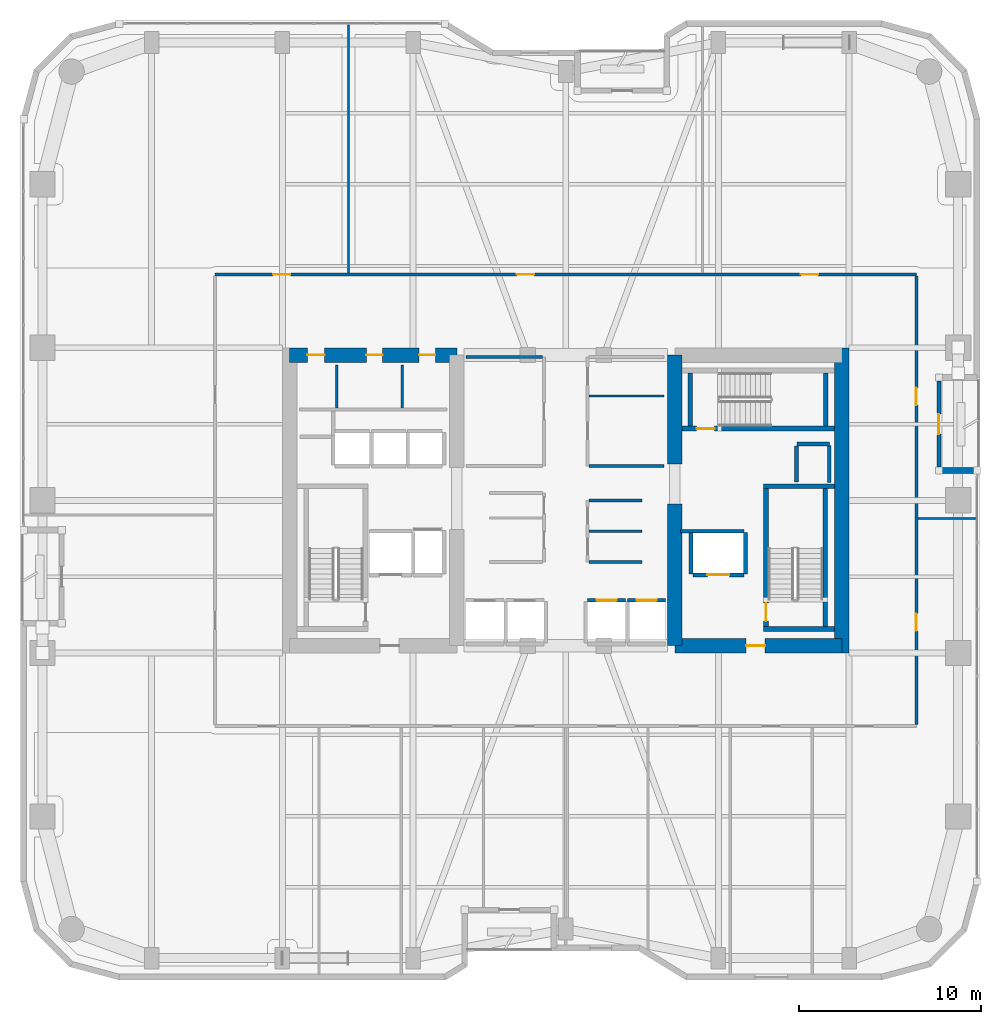
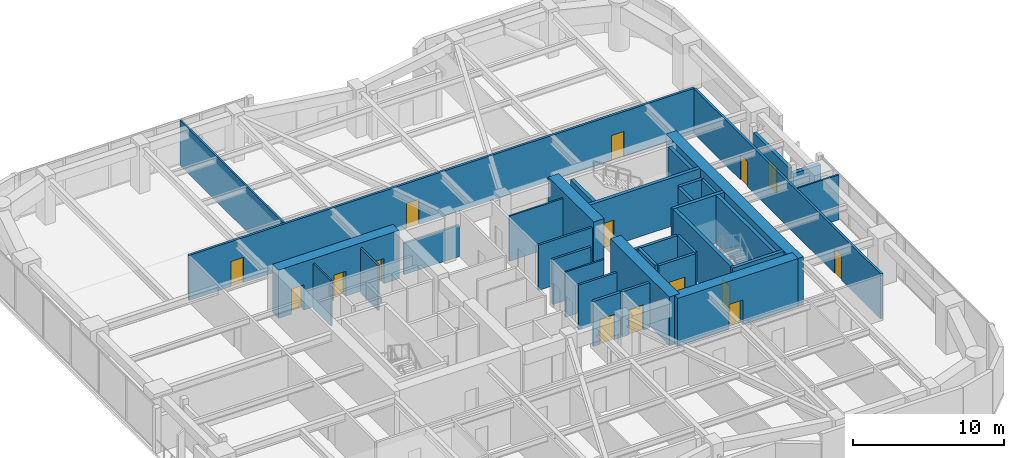
# One storey, part 20 of 24: 35 walls, 15 doors, 15 openings.
"""IFC4 building model written with IfcOpenShell, lengths in metres."""

from ifc_helpers import new_model, si_unit, direction, frame, frame_2d, origin, place, context, subcontext, project, spatial, rectangle, extrude, material, layer, layer_set, type_object, element, fill, save


model = new_model("IFC4")

# Units and contexts
model_context = context("Model", 3, precision=1e-05, world=origin(), true_north=direction((0.0, 1.0)))
body_context = subcontext(model_context, "Body", "Model", "MODEL_VIEW")
ifc_project = project(units=[si_unit("LENGTHUNIT", "METRE"), si_unit("AREAUNIT", "SQUARE_METRE"), si_unit("VOLUMEUNIT", "CUBIC_METRE"), si_unit("PLANEANGLEUNIT", "RADIAN"), si_unit("MASSUNIT", "GRAM", prefix="KILO")], contexts=[model_context])

# Site, building, storey
site_placement = place(None, origin())
site = spatial("IfcSite", under=ifc_project, at=site_placement, CompositionType="ELEMENT")
building_placement = place(site_placement, origin())
building = spatial("IfcBuilding", under=site, at=building_placement, Name="Kiyonajd Concourse Tower", CompositionType="ELEMENT")
storey_placement = place(building_placement, frame((0.0, 0.0, 109.199951171875)))
storey = spatial("IfcBuildingStorey", under=building, at=storey_placement, Name="L28", CompositionType="ELEMENT", Elevation=109.199951171875)

# Wall, openings, doors
ifc_material_1 = material(Name="Concrete C70/85", Category="concrete")
ifc_layer_1 = layer(ifc_material_1, 0.800048828125)
ifc_layer_set_1 = layer_set([ifc_layer_1], Name="Concrete C70/85")
wall_type_1 = type_object("IfcWallType", Name="WL-CORE-800", PredefinedType="SHEAR", material=ifc_layer_set_1)
wall_1_placement = place(storey_placement, frame((32.800048828125, 44.0, 0.0), z_axis=(0.0, 0.0, 1.0), x_axis=(1.0, 0.0, 0.0)))
wall_1 = element("IfcWall", 1, at=wall_1_placement, inside=storey, type_object=wall_type_1, Name="L28 West Core North Shear Wall", PredefinedType="SHEAR", context=body_context, shape_type="SweptSolid", body=[
    extrude(rectangle(XDim=9.199951171875, YDim=0.800048828125, at=frame_2d((4.60009765625, 0.0))), origin(), (0.0, 0.0, 1.0), 3.900146484375),
])
opening_1_placement = place(wall_1_placement, frame((0.97509765625, 0.0, 0.0)))
opening_1 = element("IfcOpeningElement", 2, at=opening_1_placement, cuts=wall_1, Name="Opening DI1", PredefinedType="OPENING", context=body_context, shape_type="SweptSolid", body=[
    extrude(rectangle(XDim=0.949951171875, YDim=2.0400390625, at=frame_2d((0.47509765625, 1.02001953125))), frame((0.0, 0.409912109375, 0.0), z_axis=(0.0, -1.0, 0.0), x_axis=(1.0, 0.0, 0.0)), (0.0, 0.0, 1.0), 0.820068359375),
])
opening_2_placement = place(wall_1_placement, frame((4.22509765625, 0.0, 0.0)))
opening_2 = element("IfcOpeningElement", 3, at=opening_2_placement, cuts=wall_1, Name="Opening DI2", PredefinedType="OPENING", context=body_context, shape_type="SweptSolid", body=[
    extrude(rectangle(XDim=0.89990234375, YDim=2.02001953125, at=frame_2d((0.449951171875, 1.010009765625))), frame((0.0, 0.409912109375, 0.0), z_axis=(0.0, -1.0, 0.0), x_axis=(1.0, 0.0, 0.0)), (0.0, 0.0, 1.0), 0.820068359375),
])
opening_3_placement = place(wall_1_placement, frame((7.125, 0.0, 0.0)))
opening_3 = element("IfcOpeningElement", 4, at=opening_3_placement, cuts=wall_1, Name="Opening DI2", PredefinedType="OPENING", context=body_context, shape_type="SweptSolid", body=[
    extrude(rectangle(XDim=0.89990234375, YDim=2.02001953125, at=frame_2d((0.449951171875, 1.010009765625))), frame((0.0, 0.409912109375, 0.0), z_axis=(0.0, -1.0, 0.0), x_axis=(1.0, 0.0, 0.0)), (0.0, 0.0, 1.0), 0.820068359375),
])
ifc_material_2 = material(Name="Natural Oak Acoustic Timber Veneer", Category="wood")
door_type_1 = type_object("IfcDoorType", Name="DR-INT-900", OperationType="NOTDEFINED", PredefinedType="DOOR", material=ifc_material_2)
door_1_placement = place(opening_2_placement, origin())
door_1 = element("IfcDoor", 5, at=door_1_placement, inside=storey, type_object=door_type_1, Name="L28 Male Restroom Door", OperationType="SINGLE_SWING_RIGHT", OverallHeight=2.02001953125, OverallWidth=0.89990234375, PredefinedType="DOOR", context=body_context, shape_type="SweptSolid", body=[
    extrude(rectangle(XDim=0.89990234375, YDim=2.02001953125, at=frame_2d((0.449951171875, 1.010009765625))), frame((0.0, 0.02490234375, 0.0), z_axis=(0.0, -1.0, 0.0), x_axis=(1.0, 0.0, 0.0)), (0.0, 0.0, 1.0), 0.050048828125),
])
fill(opening_2, door_1)
door_2_placement = place(opening_3_placement, origin())
door_2 = element("IfcDoor", 6, at=door_2_placement, inside=storey, type_object=door_type_1, Name="L28 Female Restroom Door", OperationType="SINGLE_SWING_LEFT", OverallHeight=2.02001953125, OverallWidth=0.89990234375, PredefinedType="DOOR", context=body_context, shape_type="SweptSolid", body=[
    extrude(rectangle(XDim=0.89990234375, YDim=2.02001953125, at=frame_2d((0.449951171875, 1.010009765625))), frame((0.0, 0.02490234375, 0.0), z_axis=(0.0, -1.0, 0.0), x_axis=(1.0, 0.0, 0.0)), (0.0, 0.0, 1.0), 0.050048828125),
])
fill(opening_3, door_2)
door_type_2 = type_object("IfcDoorType", Name="DR-INT-950", OperationType="NOTDEFINED", PredefinedType="DOOR", material=ifc_material_2)
door_3_placement = place(opening_1_placement, origin())
door_3 = element("IfcDoor", 7, at=door_3_placement, inside=storey, type_object=door_type_2, Name="L28 Single User Accessible WC Door", OperationType="SINGLE_SWING_LEFT", OverallHeight=2.0400390625, OverallWidth=0.949951171875, PredefinedType="DOOR", context=body_context, shape_type="SweptSolid", body=[
    extrude(rectangle(XDim=0.949951171875, YDim=2.0400390625, at=frame_2d((0.47509765625, 1.02001953125))), frame((0.0, 0.02490234375, 0.0), z_axis=(0.0, -1.0, 0.0), x_axis=(1.0, 0.0, 0.0)), (0.0, 0.0, 1.0), 0.050048828125),
])
fill(opening_1, door_3)

# Walls
wall_2_placement = place(storey_placement, frame((54.0, 28.0, 0.0), z_axis=(0.0, 0.0, 1.0), x_axis=(0.0, 1.0, 0.0)))
element("IfcWall", 8, at=wall_2_placement, inside=storey, type_object=wall_type_1, Name="L28 East Core Inner South Shear Wall", PredefinedType="SHEAR", context=body_context, shape_type="SweptSolid", body=[
    extrude(rectangle(XDim=7.800048828125, YDim=0.800048828125, at=frame_2d((3.89990234375, 0.0))), origin(), (0.0, 0.0, 1.0), 3.900146484375),
])
wall_3_placement = place(storey_placement, frame((54.0, 38.0, 0.0), z_axis=(0.0, 0.0, 1.0), x_axis=(0.0, 1.0, 0.0)))
element("IfcWall", 9, at=wall_3_placement, inside=storey, type_object=wall_type_1, Name="L28 East Core Inner North Shear Wall", PredefinedType="SHEAR", context=body_context, shape_type="SweptSolid", body=[
    extrude(rectangle(XDim=6.0, YDim=0.800048828125, at=frame_2d((3.0, 0.0))), origin(), (0.0, 0.0, 1.0), 3.900146484375),
])
wall_4_placement = place(storey_placement, frame((63.199951171875, 27.60009765625, 0.0), z_axis=(0.0, 0.0, 1.0), x_axis=(0.0, 1.0, 0.0)))
element("IfcWall", 10, at=wall_4_placement, inside=storey, type_object=wall_type_1, Name="L28 East Core Outer Shear Wall", PredefinedType="SHEAR", context=body_context, shape_type="SweptSolid", body=[
    extrude(rectangle(XDim=16.7998046875, YDim=0.800048828125, at=frame_2d((8.39990234375, 0.0))), origin(), (0.0, 0.0, 1.0), 3.900146484375),
])

# Wall, opening, door
wall_5_placement = place(storey_placement, frame((54.0, 28.0, 0.0), z_axis=(0.0, 0.0, 1.0), x_axis=(1.0, 0.0, 0.0)))
wall_5 = element("IfcWall", 11, at=wall_5_placement, inside=storey, type_object=wall_type_1, Name="L28 East Core South Shear Wall", PredefinedType="SHEAR", context=body_context, shape_type="SweptSolid", body=[
    extrude(rectangle(XDim=9.199951171875, YDim=0.800048828125, at=frame_2d((4.60009765625, 0.0))), origin(), (0.0, 0.0, 1.0), 3.900146484375),
])
opening_4_placement = place(wall_5_placement, frame((3.925048828125, 0.0, 0.0)))
opening_4 = element("IfcOpeningElement", 12, at=opening_4_placement, cuts=wall_5, Name="Opening DF5", PredefinedType="OPENING", context=body_context, shape_type="SweptSolid", body=[
    extrude(rectangle(XDim=1.050048828125, YDim=2.0400390625, at=frame_2d((0.52490234375, 1.02001953125))), frame((0.0, 0.409912109375, 0.0), z_axis=(0.0, -1.0, 0.0), x_axis=(1.0, 0.0, 0.0)), (0.0, 0.0, 1.0), 0.820068359375),
])
ifc_material_3 = material(Name="Brushed Stainless Steel Cab Assembly", Category="steel")
door_type_3 = type_object("IfcDoorType", Name="DR-FD45-1050", OperationType="NOTDEFINED", PredefinedType="DOOR", material=ifc_material_3)
door_4_placement = place(opening_4_placement, origin())
door_4 = element("IfcDoor", 13, at=door_4_placement, inside=storey, type_object=door_type_3, Name="L28 Firefighting Lift Lobby E Smoke Door", OperationType="SINGLE_SWING_RIGHT", OverallHeight=2.0400390625, OverallWidth=1.050048828125, PredefinedType="DOOR", context=body_context, shape_type="SweptSolid", body=[
    extrude(rectangle(XDim=1.050048828125, YDim=2.0400390625, at=frame_2d((0.52490234375, 1.02001953125))), frame((0.0, 0.02490234375, 0.0), z_axis=(0.0, -1.0, 0.0), x_axis=(1.0, 0.0, 0.0)), (0.0, 0.0, 1.0), 0.050048828125),
])
fill(opening_4, door_4)

# Wall
ifc_material_4 = material(Name="Precast concrete C50/60", Category="concrete")
ifc_layer_2 = layer(ifc_material_4, 0.320068359375)
ifc_layer_set_2 = layer_set([ifc_layer_2], Name="Precast concrete C50/60")
wall_type_2 = type_object("IfcWallType", Name="WL-EXT-320", PredefinedType="SOLIDWALL", material=ifc_layer_set_2)
wall_6_placement = place(storey_placement, frame((68.5400390625, 37.639892578125, 0.0), z_axis=(0.0, 0.0, 1.0), x_axis=(1.0, 0.0, 0.0)))
element("IfcWall", 14, at=wall_6_placement, inside=storey, type_object=wall_type_2, Name="L28 Exterior Concrete Frame Wall 23", PredefinedType="SOLIDWALL", context=body_context, shape_type="SweptSolid", body=[
    extrude(rectangle(XDim=2.099853515625, YDim=0.320068359375, at=frame_2d((1.0498046875, 0.0))), origin(), (0.0, 0.0, 1.0), 2.875),
])

# Wall, opening, door
ifc_layer_3 = layer(ifc_material_4, 0.239990234375)
ifc_layer_set_3 = layer_set([ifc_layer_3], Name="Precast concrete C50/60")
wall_type_3 = type_object("IfcWallType", Name="WL-LOG-240", PredefinedType="SOLIDWALL", material=ifc_layer_set_3)
wall_7_placement = place(storey_placement, frame((68.5400390625, 42.56494140625, 0.0), z_axis=(0.0, 0.0, 1.0), x_axis=(0.0, -1.0, 0.0)))
wall_7 = element("IfcWall", 15, at=wall_7_placement, inside=storey, type_object=wall_type_3, Name="L28 Recessed Loggia Thermal Wall LOG-E", PredefinedType="SOLIDWALL", context=body_context, shape_type="SweptSolid", body=[
    extrude(rectangle(XDim=4.72998046875, YDim=0.239990234375, at=frame_2d((2.364990234375, 0.0))), origin(), (0.0, 0.0, 1.0), 3.162109375),
])
opening_5_placement = place(wall_7_placement, frame((1.81494140625, 0.0, 0.0)))
opening_5 = element("IfcOpeningElement", 16, at=opening_5_placement, cuts=wall_7, Name="Opening DL2", PredefinedType="OPENING", context=body_context, shape_type="SweptSolid", body=[
    extrude(rectangle(XDim=1.10009765625, YDim=2.0400390625, at=frame_2d((0.550048828125, 1.02001953125))), frame((0.0, 0.1298828125, 0.0), z_axis=(0.0, -1.0, 0.0), x_axis=(1.0, 0.0, 0.0)), (0.0, 0.0, 1.0), 0.260009765625),
])
ifc_material_5 = material(Name="Thermally Broken Anodised Aluminium", Category="aluminium")
door_type_4 = type_object("IfcDoorType", Name="DR-LOG-1100", OperationType="NOTDEFINED", PredefinedType="DOOR", material=ifc_material_5)
door_5_placement = place(opening_5_placement, origin())
door_5 = element("IfcDoor", 17, at=door_5_placement, inside=storey, type_object=door_type_4, Name="L28 Engawa Loggia Access Door LOG-E", OperationType="SINGLE_SWING_LEFT", OverallHeight=2.0400390625, OverallWidth=1.10009765625, PredefinedType="DOOR", context=body_context, shape_type="SweptSolid", body=[
    extrude(rectangle(XDim=1.10009765625, YDim=2.0400390625, at=frame_2d((0.550048828125, 1.02001953125))), frame((0.0, 0.02490234375, 0.0), z_axis=(0.0, -1.0, 0.0), x_axis=(1.0, 0.0, 0.0)), (0.0, 0.0, 1.0), 0.050048828125),
])
fill(opening_5, door_5)

# Walls
ifc_material_6 = material(Name="Gypsum Board on Cold-Formed Steel Stud", Category="steel")
ifc_layer_4 = layer(ifc_material_6, 0.125)
ifc_layer_set_4 = layer_set([ifc_layer_4], Name="Gypsum Board on Cold-Formed Steel Stud")
wall_type_4 = type_object("IfcWallType", Name="WL-PART-125", PredefinedType="PARTITIONING", material=ifc_layer_set_4)
for number, where, z_axis, x_axis, name in (
    (18, (35.39990234375, 41.094970703125, 0.0), (0.0, 0.0, 1.0), (0.0, 1.0, 0.0), "L28 Interior Partition Wall"),
    (19, (39.0, 41.094970703125, 0.0), (0.0, 0.0, 1.0), (0.0, 1.0, 0.0), "L28 Interior Partition Wall"),
):
    element("IfcWall", number, at=place(storey_placement, frame(where, z_axis=z_axis, x_axis=x_axis)), inside=storey, type_object=wall_type_4, Name=name, PredefinedType="PARTITIONING", context=body_context, shape_type="SweptSolid", body=[
        extrude(rectangle(XDim=2.35498046875, YDim=0.125, at=frame_2d((1.177490234375, 0.0))), origin(), (0.0, 0.0, 1.0), 3.64013671875),
    ])
wall_8_placement = place(storey_placement, frame((49.287109375, 34.300048828125, 0.0), z_axis=(0.0, 0.0, 1.0), x_axis=(1.0, 0.0, 0.0)))
element("IfcWall", 20, at=wall_8_placement, inside=storey, type_object=wall_type_4, Name="L28 Interior Partition Wall", PredefinedType="PARTITIONING", context=body_context, shape_type="SweptSolid", body=[
    extrude(rectangle(XDim=2.912841796875, YDim=0.125, at=frame_2d((1.45654296875, 0.0))), origin(), (0.0, 0.0, 1.0), 3.64013671875),
])
wall_9_placement = place(storey_placement, frame((49.287109375, 41.739990234375, 0.0), z_axis=(0.0, 0.0, 1.0), x_axis=(1.0, 0.0, 0.0)))
element("IfcWall", 21, at=wall_9_placement, inside=storey, type_object=wall_type_4, Name="L28 Interior Partition Wall", PredefinedType="PARTITIONING", context=body_context, shape_type="SweptSolid", body=[
    extrude(rectangle(XDim=4.11279296875, YDim=0.125, at=frame_2d((2.056396484375, 0.0))), origin(), (0.0, 0.0, 1.0), 3.64013671875),
])
wall_10_placement = place(storey_placement, frame((36.0400390625, 48.51708984375, 0.0), z_axis=(0.0, 0.0, 1.0), x_axis=(0.0, 1.0, 0.0)))
element("IfcWall", 22, at=wall_10_placement, inside=storey, type_object=wall_type_4, Name="L28 Interior Partition Wall", PredefinedType="PARTITIONING", context=body_context, shape_type="SweptSolid", body=[
    extrude(rectangle(XDim=13.637939453125, YDim=0.125, at=frame_2d((6.81884765625, 0.0))), origin(), (0.0, 0.0, 1.0), 3.64013671875),
])
wall_11_placement = place(storey_placement, frame((67.386962890625, 35.0, 0.0), z_axis=(0.0, 0.0, 1.0), x_axis=(1.0, 0.0, 0.0)))
element("IfcWall", 23, at=wall_11_placement, inside=storey, type_object=wall_type_4, Name="L28 Interior Partition Wall", PredefinedType="PARTITIONING", context=body_context, shape_type="SweptSolid", body=[
    extrude(rectangle(XDim=3.16796875, YDim=0.125, at=frame_2d((1.583984375, 0.0))), origin(), (0.0, 0.0, 1.0), 3.64013671875),
])
ifc_layer_5 = layer(ifc_material_6, 0.2099609375)
ifc_layer_set_5 = layer_set([ifc_layer_5], Name="Gypsum Board on Cold-Formed Steel Stud")
wall_type_5 = type_object("IfcWallType", Name="WL-SHAFT-210", PredefinedType="PARTITIONING", material=ifc_layer_set_5)
wall_12_placement = place(storey_placement, frame((60.719970703125, 39.10009765625, 0.0), z_axis=(0.0, 0.0, 1.0), x_axis=(1.0, 0.0, 0.0)))
element("IfcWall", 24, at=wall_12_placement, inside=storey, type_object=wall_type_5, Name="L28 Shaft Enclosure Wall", PredefinedType="PARTITIONING", context=body_context, shape_type="SweptSolid", body=[
    extrude(rectangle(XDim=1.800048828125, YDim=0.2099609375, at=frame_2d((0.89990234375, 0.0))), origin(), (0.0, 0.0, 1.0), 3.64013671875),
])
wall_13_placement = place(storey_placement, frame((60.699951171875, 37.02001953125, 0.0), z_axis=(0.0, 0.0, 1.0), x_axis=(0.0, 1.0, 0.0)))
element("IfcWall", 25, at=wall_13_placement, inside=storey, type_object=wall_type_5, Name="L28 Shaft Enclosure Wall", PredefinedType="PARTITIONING", context=body_context, shape_type="SweptSolid", body=[
    extrude(rectangle(XDim=1.9599609375, YDim=0.2099609375, at=frame_2d((0.97998046875, 0.0))), origin(), (0.0, 0.0, 1.0), 3.64013671875),
])
wall_14_placement = place(storey_placement, frame((62.5, 36.97998046875, 0.0), z_axis=(0.0, 0.0, 1.0), x_axis=(0.0, 1.0, 0.0)))
element("IfcWall", 26, at=wall_14_placement, inside=storey, type_object=wall_type_5, Name="L28 Shaft Enclosure Wall", PredefinedType="PARTITIONING", context=body_context, shape_type="SweptSolid", body=[
    extrude(rectangle(XDim=2.0400390625, YDim=0.2099609375, at=frame_2d((1.02001953125, 0.0))), origin(), (0.0, 0.0, 1.0), 3.64013671875),
])

# Wall, opening, door
wall_15_placement = place(storey_placement, frame((55.0, 31.89990234375, 0.0), z_axis=(0.0, 0.0, 1.0), x_axis=(1.0, 0.0, 0.0)))
wall_15 = element("IfcWall", 27, at=wall_15_placement, inside=storey, type_object=wall_type_5, Name="L28 Shaft Enclosure Wall", PredefinedType="PARTITIONING", context=body_context, shape_type="SweptSolid", body=[
    extrude(rectangle(XDim=2.800048828125, YDim=0.2099609375, at=frame_2d((1.39990234375, 0.0))), origin(), (0.0, 0.0, 1.0), 3.64013671875),
])
opening_6_placement = place(wall_15_placement, frame((0.800048828125, 0.0, 0.0)))
opening_6 = element("IfcOpeningElement", 28, at=opening_6_placement, cuts=wall_15, Name="Opening LD2", PredefinedType="OPENING", context=body_context, shape_type="SweptSolid", body=[
    extrude(rectangle(XDim=1.199951171875, YDim=2.0400390625, at=frame_2d((0.60009765625, 1.02001953125))), frame((0.0, 0.114990234375, 0.0), z_axis=(0.0, -1.0, 0.0), x_axis=(1.0, 0.0, 0.0)), (0.0, 0.0, 1.0), 0.22998046875),
])
door_type_5 = type_object("IfcDoorType", Name="DR-LD-1200", OperationType="DOUBLE_DOOR_SLIDING", PredefinedType="DOOR", material=ifc_material_3)
door_6_placement = place(opening_6_placement, origin())
door_6 = element("IfcDoor", 29, at=door_6_placement, inside=storey, type_object=door_type_5, Name="L28 Lift FFL2 Sliding Landing Door", OperationType="DOUBLE_DOOR_SLIDING", OverallHeight=2.0400390625, OverallWidth=1.199951171875, PredefinedType="DOOR", context=body_context, shape_type="SweptSolid", body=[
    extrude(rectangle(XDim=1.199951171875, YDim=2.0400390625, at=frame_2d((0.60009765625, 1.02001953125))), frame((0.0, 0.02490234375, 0.0), z_axis=(0.0, -1.0, 0.0), x_axis=(1.0, 0.0, 0.0)), (0.0, 0.0, 1.0), 0.050048828125),
])
fill(opening_6, door_6)

# Walls
wall_16_placement = place(storey_placement, frame((54.320068359375, 34.300048828125, 0.0), z_axis=(0.0, 0.0, 1.0), x_axis=(1.0, 0.0, 0.0)))
element("IfcWall", 30, at=wall_16_placement, inside=storey, type_object=wall_type_5, Name="L28 Shaft Enclosure Wall", PredefinedType="PARTITIONING", context=body_context, shape_type="SweptSolid", body=[
    extrude(rectangle(XDim=3.47998046875, YDim=0.2099609375, at=frame_2d((1.739990234375, 0.0))), origin(), (0.0, 0.0, 1.0), 3.64013671875),
])
for number, where, z_axis, x_axis, name in (
    (31, (54.89990234375, 31.9599609375, 0.0), (0.0, 0.0, 1.0), (0.0, 1.0, 0.0), "L28 Shaft Enclosure Wall"),
    (32, (57.89990234375, 31.9599609375, 0.0), (0.0, 0.0, 1.0), (0.0, 1.0, 0.0), "L28 Shaft Enclosure Wall"),
):
    element("IfcWall", number, at=place(storey_placement, frame(where, z_axis=z_axis, x_axis=x_axis)), inside=storey, type_object=wall_type_5, Name=name, PredefinedType="PARTITIONING", context=body_context, shape_type="SweptSolid", body=[
        extrude(rectangle(XDim=2.280029296875, YDim=0.2099609375, at=frame_2d((1.14013671875, 0.0))), origin(), (0.0, 0.0, 1.0), 3.64013671875),
    ])

# Wall, opening, door
wall_17_placement = place(storey_placement, frame((49.199951171875, 30.5, 0.0), z_axis=(0.0, 0.0, 1.0), x_axis=(1.0, 0.0, 0.0)))
wall_17 = element("IfcWall", 33, at=wall_17_placement, inside=storey, type_object=wall_type_5, Name="L28 Shaft Enclosure Wall", PredefinedType="PARTITIONING", context=body_context, shape_type="SweptSolid", body=[
    extrude(rectangle(XDim=2.10009765625, YDim=0.2099609375, at=frame_2d((1.050048828125, 0.0))), origin(), (0.0, 0.0, 1.0), 3.64013671875),
])
opening_7_placement = place(wall_17_placement, frame((0.5, 0.0, 0.0)))
opening_7 = element("IfcOpeningElement", 34, at=opening_7_placement, cuts=wall_17, Name="Opening LD1", PredefinedType="OPENING", context=body_context, shape_type="SweptSolid", body=[
    extrude(rectangle(XDim=1.10009765625, YDim=2.0400390625, at=frame_2d((0.550048828125, 1.02001953125))), frame((0.0, 0.114990234375, 0.0), z_axis=(0.0, -1.0, 0.0), x_axis=(1.0, 0.0, 0.0)), (0.0, 0.0, 1.0), 0.22998046875),
])
door_type_6 = type_object("IfcDoorType", Name="DR-LD-1100", OperationType="DOUBLE_DOOR_SLIDING", PredefinedType="DOOR", material=ifc_material_3)
door_7_placement = place(opening_7_placement, origin())
door_7 = element("IfcDoor", 35, at=door_7_placement, inside=storey, type_object=door_type_6, Name="L28 Lift PL-L3 Sliding Landing Door", OperationType="DOUBLE_DOOR_SLIDING", OverallHeight=2.0400390625, OverallWidth=1.10009765625, PredefinedType="DOOR", context=body_context, shape_type="SweptSolid", body=[
    extrude(rectangle(XDim=1.10009765625, YDim=2.0400390625, at=frame_2d((0.550048828125, 1.02001953125))), frame((0.0, 0.02490234375, 0.0), z_axis=(0.0, -1.0, 0.0), x_axis=(1.0, 0.0, 0.0)), (0.0, 0.0, 1.0), 0.050048828125),
])
fill(opening_7, door_7)

wall_18_placement = place(storey_placement, frame((51.39990234375, 30.5, 0.0), z_axis=(0.0, 0.0, 1.0), x_axis=(1.0, 0.0, 0.0)))
wall_18 = element("IfcWall", 36, at=wall_18_placement, inside=storey, type_object=wall_type_5, Name="L28 Shaft Enclosure Wall", PredefinedType="PARTITIONING", context=body_context, shape_type="SweptSolid", body=[
    extrude(rectangle(XDim=2.10009765625, YDim=0.2099609375, at=frame_2d((1.050048828125, 0.0))), origin(), (0.0, 0.0, 1.0), 3.64013671875),
])
opening_8_placement = place(wall_18_placement, frame((0.5, 0.0, 0.0)))
opening_8 = element("IfcOpeningElement", 37, at=opening_8_placement, cuts=wall_18, Name="Opening LD1", PredefinedType="OPENING", context=body_context, shape_type="SweptSolid", body=[
    extrude(rectangle(XDim=1.10009765625, YDim=2.0400390625, at=frame_2d((0.550048828125, 1.02001953125))), frame((0.0, 0.114990234375, 0.0), z_axis=(0.0, -1.0, 0.0), x_axis=(1.0, 0.0, 0.0)), (0.0, 0.0, 1.0), 0.22998046875),
])
door_8_placement = place(opening_8_placement, origin())
door_8 = element("IfcDoor", 38, at=door_8_placement, inside=storey, type_object=door_type_6, Name="L28 Lift PL-L4 Sliding Landing Door", OperationType="DOUBLE_DOOR_SLIDING", OverallHeight=2.0400390625, OverallWidth=1.10009765625, PredefinedType="DOOR", context=body_context, shape_type="SweptSolid", body=[
    extrude(rectangle(XDim=1.10009765625, YDim=2.0400390625, at=frame_2d((0.550048828125, 1.02001953125))), frame((0.0, 0.02490234375, 0.0), z_axis=(0.0, -1.0, 0.0), x_axis=(1.0, 0.0, 0.0)), (0.0, 0.0, 1.0), 0.050048828125),
])
fill(opening_8, door_8)

# Walls
ifc_layer_6 = layer(ifc_material_6, 0.169921875)
ifc_layer_set_6 = layer_set([ifc_layer_6], Name="Gypsum Board on Cold-Formed Steel Stud")
wall_type_6 = type_object("IfcWallType", Name="WL-SMK-170", PredefinedType="PARTITIONING", material=ifc_layer_set_6)
for number, where, z_axis, x_axis, name in (
    (39, (49.287109375, 32.60009765625, 0.0), (0.0, 0.0, 1.0), (1.0, 0.0, 0.0), "L28 Interior Partition Wall"),
    (40, (49.287109375, 36.0, 0.0), (0.0, 0.0, 1.0), (1.0, 0.0, 0.0), "L28 Interior Partition Wall"),
):
    element("IfcWall", number, at=place(storey_placement, frame(where, z_axis=z_axis, x_axis=x_axis)), inside=storey, type_object=wall_type_6, Name=name, PredefinedType="PARTITIONING", context=body_context, shape_type="SweptSolid", body=[
        extrude(rectangle(XDim=2.912841796875, YDim=0.169921875, at=frame_2d((1.45654296875, 0.0))), origin(), (0.0, 0.0, 1.0), 3.64013671875),
    ])
wall_19_placement = place(storey_placement, frame((42.5, 43.89990234375, 0.0), z_axis=(0.0, 0.0, 1.0), x_axis=(1.0, 0.0, 0.0)))
element("IfcWall", 41, at=wall_19_placement, inside=storey, type_object=wall_type_6, Name="L28 Interior Partition Wall", PredefinedType="PARTITIONING", context=body_context, shape_type="SweptSolid", body=[
    extrude(rectangle(XDim=4.212890625, YDim=0.169921875, at=frame_2d((2.1064453125, 0.0))), origin(), (0.0, 0.0, 1.0), 2.525146484375),
])
wall_20_placement = place(storey_placement, frame((49.287109375, 37.89990234375, 0.0), z_axis=(0.0, 0.0, 1.0), x_axis=(1.0, 0.0, 0.0)))
element("IfcWall", 42, at=wall_20_placement, inside=storey, type_object=wall_type_6, Name="L28 Interior Partition Wall", PredefinedType="PARTITIONING", context=body_context, shape_type="SweptSolid", body=[
    extrude(rectangle(XDim=4.11279296875, YDim=0.169921875, at=frame_2d((2.056396484375, 0.0))), origin(), (0.0, 0.0, 1.0), 3.64013671875),
])

# Wall, openings, doors
wall_21_placement = place(storey_placement, frame((28.699951171875, 48.429931640625, 0.0), z_axis=(0.0, 0.0, 1.0), x_axis=(1.0, 0.0, 0.0)))
wall_21 = element("IfcWall", 43, at=wall_21_placement, inside=storey, type_object=wall_type_6, Name="L28 Interior Partition Wall", PredefinedType="PARTITIONING", context=body_context, shape_type="SweptSolid", body=[
    extrude(rectangle(XDim=38.60009765625, YDim=0.169921875, at=frame_2d((19.300048828125, 0.0))), origin(), (0.0, 0.0, 1.0), 3.64013671875),
])
opening_9_placement = place(wall_21_placement, frame((3.195068359375, 0.0, 0.0)))
opening_9 = element("IfcOpeningElement", 44, at=opening_9_placement, cuts=wall_21, Name="Opening DI1", PredefinedType="OPENING", context=body_context, shape_type="SweptSolid", body=[
    extrude(rectangle(XDim=0.949951171875, YDim=2.0400390625, at=frame_2d((0.47509765625, 1.02001953125))), frame((0.0, 0.094970703125, 0.0), z_axis=(0.0, -1.0, 0.0), x_axis=(1.0, 0.0, 0.0)), (0.0, 0.0, 1.0), 0.18994140625),
])
opening_10_placement = place(wall_21_placement, frame((16.60498046875, 0.0, 0.0)))
opening_10 = element("IfcOpeningElement", 45, at=opening_10_placement, cuts=wall_21, Name="Opening DI1", PredefinedType="OPENING", context=body_context, shape_type="SweptSolid", body=[
    extrude(rectangle(XDim=0.949951171875, YDim=2.0400390625, at=frame_2d((0.47509765625, 1.02001953125))), frame((0.0, 0.094970703125, 0.0), z_axis=(0.0, -1.0, 0.0), x_axis=(1.0, 0.0, 0.0)), (0.0, 0.0, 1.0), 0.18994140625),
])
opening_11_placement = place(wall_21_placement, frame((32.235107421875, 0.0, 0.0)))
opening_11 = element("IfcOpeningElement", 46, at=opening_11_placement, cuts=wall_21, Name="Opening DI1", PredefinedType="OPENING", context=body_context, shape_type="SweptSolid", body=[
    extrude(rectangle(XDim=0.949951171875, YDim=2.0400390625, at=frame_2d((0.47509765625, 1.02001953125))), frame((0.0, 0.094970703125, 0.0), z_axis=(0.0, -1.0, 0.0), x_axis=(1.0, 0.0, 0.0)), (0.0, 0.0, 1.0), 0.18994140625),
])
door_9_placement = place(opening_9_placement, origin())
door_9 = element("IfcDoor", 47, at=door_9_placement, inside=storey, type_object=door_type_2, Name="L28 Interior Door", OperationType="SINGLE_SWING_RIGHT", OverallHeight=2.0400390625, OverallWidth=0.949951171875, PredefinedType="DOOR", context=body_context, shape_type="SweptSolid", body=[
    extrude(rectangle(XDim=0.949951171875, YDim=2.0400390625, at=frame_2d((0.47509765625, 1.02001953125))), frame((0.0, 0.02490234375, 0.0), z_axis=(0.0, -1.0, 0.0), x_axis=(1.0, 0.0, 0.0)), (0.0, 0.0, 1.0), 0.050048828125),
])
fill(opening_9, door_9)
door_10_placement = place(opening_10_placement, origin())
door_10 = element("IfcDoor", 48, at=door_10_placement, inside=storey, type_object=door_type_2, Name="L28 Interior Door", OperationType="SINGLE_SWING_LEFT", OverallHeight=2.0400390625, OverallWidth=0.949951171875, PredefinedType="DOOR", context=body_context, shape_type="SweptSolid", body=[
    extrude(rectangle(XDim=0.949951171875, YDim=2.0400390625, at=frame_2d((0.47509765625, 1.02001953125))), frame((0.0, 0.02490234375, 0.0), z_axis=(0.0, -1.0, 0.0), x_axis=(1.0, 0.0, 0.0)), (0.0, 0.0, 1.0), 0.050048828125),
])
fill(opening_10, door_10)
door_11_placement = place(opening_11_placement, origin())
door_11 = element("IfcDoor", 49, at=door_11_placement, inside=storey, type_object=door_type_2, Name="L28 Interior Door", OperationType="SINGLE_SWING_RIGHT", OverallHeight=2.0400390625, OverallWidth=0.949951171875, PredefinedType="DOOR", context=body_context, shape_type="SweptSolid", body=[
    extrude(rectangle(XDim=0.949951171875, YDim=2.0400390625, at=frame_2d((0.47509765625, 1.02001953125))), frame((0.0, 0.02490234375, 0.0), z_axis=(0.0, -1.0, 0.0), x_axis=(1.0, 0.0, 0.0)), (0.0, 0.0, 1.0), 0.050048828125),
])
fill(opening_11, door_11)

wall_22_placement = place(storey_placement, frame((67.300048828125, 23.656982421875, 0.0), z_axis=(0.0, 0.0, 1.0), x_axis=(0.0, 1.0, 0.0)))
wall_22 = element("IfcWall", 50, at=wall_22_placement, inside=storey, type_object=wall_type_6, Name="L28 Interior Partition Wall", PredefinedType="PARTITIONING", context=body_context, shape_type="SweptSolid", body=[
    extrude(rectangle(XDim=24.68603515625, YDim=0.169921875, at=frame_2d((12.343017578125, 0.0))), origin(), (0.0, 0.0, 1.0), 3.64013671875),
])
opening_12_placement = place(wall_22_placement, frame((5.153076171875, 0.0, 0.0)))
opening_12 = element("IfcOpeningElement", 51, at=opening_12_placement, cuts=wall_22, Name="Opening DI1", PredefinedType="OPENING", context=body_context, shape_type="SweptSolid", body=[
    extrude(rectangle(XDim=0.949951171875, YDim=2.0400390625, at=frame_2d((0.47509765625, 1.02001953125))), frame((0.0, 0.094970703125, 0.0), z_axis=(0.0, -1.0, 0.0), x_axis=(1.0, 0.0, 0.0)), (0.0, 0.0, 1.0), 0.18994140625),
])
opening_13_placement = place(wall_22_placement, frame((17.5830078125, 0.0, 0.0)))
opening_13 = element("IfcOpeningElement", 52, at=opening_13_placement, cuts=wall_22, Name="Opening DI1", PredefinedType="OPENING", context=body_context, shape_type="SweptSolid", body=[
    extrude(rectangle(XDim=0.949951171875, YDim=2.0400390625, at=frame_2d((0.47509765625, 1.02001953125))), frame((0.0, 0.094970703125, 0.0), z_axis=(0.0, -1.0, 0.0), x_axis=(1.0, 0.0, 0.0)), (0.0, 0.0, 1.0), 0.18994140625),
])
door_12_placement = place(opening_12_placement, origin())
door_12 = element("IfcDoor", 53, at=door_12_placement, inside=storey, type_object=door_type_2, Name="L28 Interior Door", OperationType="SINGLE_SWING_LEFT", OverallHeight=2.0400390625, OverallWidth=0.949951171875, PredefinedType="DOOR", context=body_context, shape_type="SweptSolid", body=[
    extrude(rectangle(XDim=0.949951171875, YDim=2.0400390625, at=frame_2d((0.47509765625, 1.02001953125))), frame((0.0, 0.02490234375, 0.0), z_axis=(0.0, -1.0, 0.0), x_axis=(1.0, 0.0, 0.0)), (0.0, 0.0, 1.0), 0.050048828125),
])
fill(opening_12, door_12)
door_13_placement = place(opening_13_placement, origin())
door_13 = element("IfcDoor", 54, at=door_13_placement, inside=storey, type_object=door_type_2, Name="L28 Interior Door", OperationType="SINGLE_SWING_RIGHT", OverallHeight=2.0400390625, OverallWidth=0.949951171875, PredefinedType="DOOR", context=body_context, shape_type="SweptSolid", body=[
    extrude(rectangle(XDim=0.949951171875, YDim=2.0400390625, at=frame_2d((0.47509765625, 1.02001953125))), frame((0.0, 0.02490234375, 0.0), z_axis=(0.0, -1.0, 0.0), x_axis=(1.0, 0.0, 0.0)), (0.0, 0.0, 1.0), 0.050048828125),
])
fill(opening_13, door_13)

# Walls
ifc_material_7 = material(Name="Concrete C50/60", Category="concrete")
ifc_layer_7 = layer(ifc_material_7, 0.260009765625)
ifc_layer_set_7 = layer_set([ifc_layer_7], Name="Concrete C50/60")
wall_type_7 = type_object("IfcWallType", Name="WL-STAIR-260", PredefinedType="SHEAR", material=ifc_layer_set_7)
for number, where, z_axis, x_axis, name in (
    (55, (58.889892578125, 28.919921875, 0.0), (0.0, 0.0, 1.0), (1.0, 0.0, 0.0), "L28 Stair ST2 Structural South Wall"),
    (56, (58.889892578125, 36.780029296875, 0.0), (0.0, 0.0, 1.0), (1.0, 0.0, 0.0), "L28 Stair ST2 Structural North Wall"),
):
    element("IfcWall", number, at=place(storey_placement, frame(where, z_axis=z_axis, x_axis=x_axis)), inside=storey, type_object=wall_type_7, Name=name, PredefinedType="SHEAR", context=body_context, shape_type="SweptSolid", body=[
        extrude(rectangle(XDim=3.91015625, YDim=0.260009765625, at=frame_2d((1.955078125, 0.0))), origin(), (0.0, 0.0, 1.0), 3.900146484375),
    ])

# Wall, opening, door
wall_23_placement = place(storey_placement, frame((59.02001953125, 29.050048828125, 0.0), z_axis=(0.0, 0.0, 1.0), x_axis=(0.0, 1.0, 0.0)))
wall_23 = element("IfcWall", 57, at=wall_23_placement, inside=storey, type_object=wall_type_7, Name="L28 Stair ST2 Structural West Wall", PredefinedType="SHEAR", context=body_context, shape_type="SweptSolid", body=[
    extrude(rectangle(XDim=7.599853515625, YDim=0.260009765625, at=frame_2d((3.7998046875, 0.0))), origin(), (0.0, 0.0, 1.0), 3.900146484375),
])
opening_14_placement = place(wall_23_placement, frame((0.300048828125, 0.0, 0.0)))
opening_14 = element("IfcOpeningElement", 58, at=opening_14_placement, cuts=wall_23, Name="Opening DF1", PredefinedType="OPENING", context=body_context, shape_type="SweptSolid", body=[
    extrude(rectangle(XDim=1.0, YDim=2.0400390625, at=frame_2d((0.5, 1.02001953125))), frame((0.0, 0.139892578125, 0.0), z_axis=(0.0, -1.0, 0.0), x_axis=(1.0, 0.0, 0.0)), (0.0, 0.0, 1.0), 0.280029296875),
])
door_type_7 = type_object("IfcDoorType", Name="DR-FD90-1000", OperationType="NOTDEFINED", PredefinedType="DOOR", material=ifc_material_3)
door_14_placement = place(opening_14_placement, origin())
door_14 = element("IfcDoor", 59, at=door_14_placement, inside=storey, type_object=door_type_7, Name="L28 Stair ST2 FSAE Door", OperationType="SINGLE_SWING_RIGHT", OverallHeight=2.0400390625, OverallWidth=1.0, PredefinedType="DOOR", context=body_context, shape_type="SweptSolid", body=[
    extrude(rectangle(XDim=1.0, YDim=2.0400390625, at=frame_2d((0.5, 1.02001953125))), frame((0.0, 0.02490234375, 0.0), z_axis=(0.0, -1.0, 0.0), x_axis=(1.0, 0.0, 0.0)), (0.0, 0.0, 1.0), 0.050048828125),
])
fill(opening_14, door_14)

# Wall
wall_24_placement = place(storey_placement, frame((62.280029296875, 29.050048828125, 0.0), z_axis=(0.0, 0.0, 1.0), x_axis=(0.0, 1.0, 0.0)))
element("IfcWall", 60, at=wall_24_placement, inside=storey, type_object=wall_type_7, Name="L28 Stair ST2 Structural East Wall", PredefinedType="SHEAR", context=body_context, shape_type="SweptSolid", body=[
    extrude(rectangle(XDim=7.599853515625, YDim=0.260009765625, at=frame_2d((3.7998046875, 0.0))), origin(), (0.0, 0.0, 1.0), 3.900146484375),
])

# Wall, opening, door
wall_25_placement = place(storey_placement, frame((54.39990234375, 39.949951171875, 0.0), z_axis=(0.0, 0.0, 1.0), x_axis=(1.0, 0.0, 0.0)))
wall_25 = element("IfcWall", 61, at=wall_25_placement, inside=storey, type_object=wall_type_7, Name="L28 Stair ST3 Structural South Wall", PredefinedType="SHEAR", context=body_context, shape_type="SweptSolid", body=[
    extrude(rectangle(XDim=8.400146484375, YDim=0.260009765625, at=frame_2d((4.2001953125, 0.0))), origin(), (0.0, 0.0, 1.0), 3.900146484375),
])
opening_15_placement = place(wall_25_placement, frame((0.800048828125, 0.0, 0.0)))
opening_15 = element("IfcOpeningElement", 62, at=opening_15_placement, cuts=wall_25, Name="Opening DF1", PredefinedType="OPENING", context=body_context, shape_type="SweptSolid", body=[
    extrude(rectangle(XDim=1.0, YDim=2.0400390625, at=frame_2d((0.5, 1.02001953125))), frame((0.0, 0.139892578125, 0.0), z_axis=(0.0, -1.0, 0.0), x_axis=(1.0, 0.0, 0.0)), (0.0, 0.0, 1.0), 0.280029296875),
])
door_15_placement = place(opening_15_placement, origin())
door_15 = element("IfcDoor", 63, at=door_15_placement, inside=storey, type_object=door_type_7, Name="L28 Stair ST3 Enclosure Door", OperationType="SINGLE_SWING_LEFT", OverallHeight=2.0400390625, OverallWidth=1.0, PredefinedType="DOOR", context=body_context, shape_type="SweptSolid", body=[
    extrude(rectangle(XDim=1.0, YDim=2.0400390625, at=frame_2d((0.5, 1.02001953125))), frame((0.0, 0.02490234375, 0.0), z_axis=(0.0, -1.0, 0.0), x_axis=(1.0, 0.0, 0.0)), (0.0, 0.0, 1.0), 0.050048828125),
])
fill(opening_15, door_15)

# Walls
for number, where, z_axis, x_axis, name in (
    (64, (54.85009765625, 40.080078125, 0.0), (0.0, 0.0, 1.0), (0.0, 1.0, 0.0), "L28 Stair ST3 Structural West Wall"),
    (65, (62.31005859375, 40.080078125, 0.0), (0.0, 0.0, 1.0), (0.0, 1.0, 0.0), "L28 Stair ST3 Structural East Wall"),
):
    element("IfcWall", number, at=place(storey_placement, frame(where, z_axis=z_axis, x_axis=x_axis)), inside=storey, type_object=wall_type_7, Name=name, PredefinedType="SHEAR", context=body_context, shape_type="SweptSolid", body=[
        extrude(rectangle(XDim=2.93994140625, YDim=0.260009765625, at=frame_2d((1.469970703125, 0.0))), origin(), (0.0, 0.0, 1.0), 3.900146484375),
    ])

save(model, "model.ifc")
